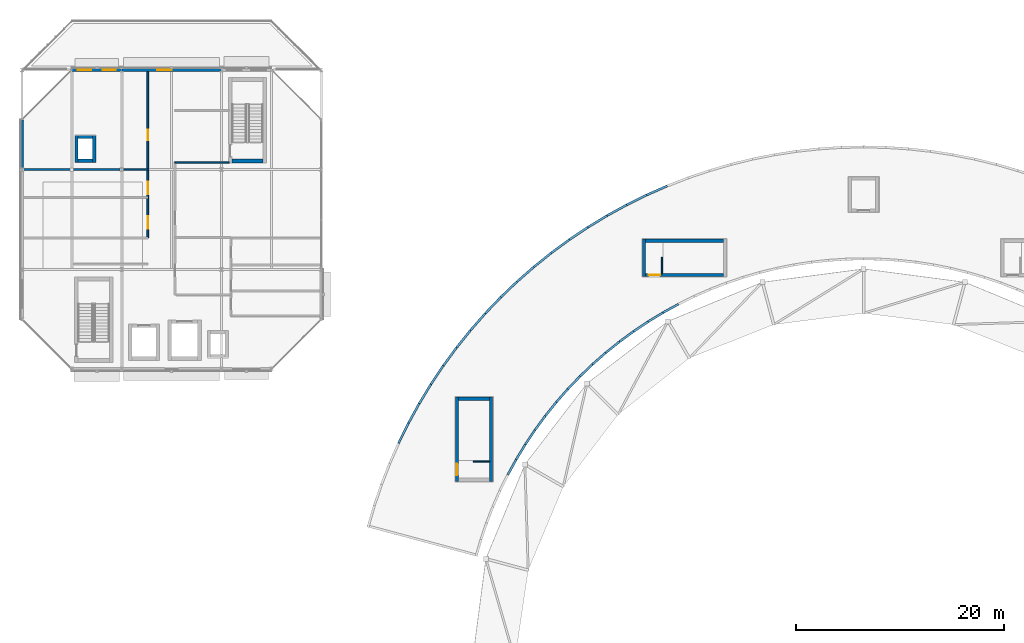
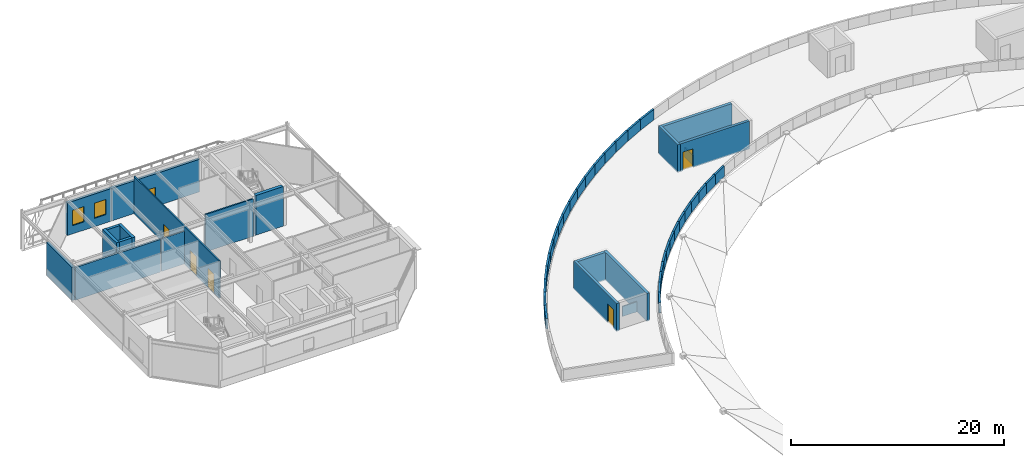
# One storey, part 33 of 50: 51 walls, 6 doors, 2 windows, 8 openings.
"""IFC4 building model written with IfcOpenShell, lengths in metres."""

from ifc_helpers import new_model, si_unit, direction, frame, frame_2d, origin, place, context, subcontext, project, spatial, rectangle, extrude, material, layer, layer_set, type_object, element, fill, save


model = new_model("IFC4")

# Units and contexts
model_context = context("Model", 3, precision=1e-05, world=origin(), true_north=direction((0.0, 1.0)))
body_context = subcontext(model_context, "Body", "Model", "MODEL_VIEW")
ifc_project = project(units=[si_unit("LENGTHUNIT", "METRE"), si_unit("AREAUNIT", "SQUARE_METRE"), si_unit("VOLUMEUNIT", "CUBIC_METRE"), si_unit("PLANEANGLEUNIT", "RADIAN"), si_unit("MASSUNIT", "GRAM", prefix="KILO")], contexts=[model_context])

# Site, building, storey
site_placement = place(None, origin())
site = spatial("IfcSite", under=ifc_project, at=site_placement, CompositionType="ELEMENT")
building_placement = place(site_placement, origin())
building = spatial("IfcBuilding", under=site, at=building_placement, Name="Almandine Court Research Institute", CompositionType="ELEMENT")
storey_placement = place(building_placement, frame((0.0, 0.0, 23.449951171875)))
storey = spatial("IfcBuildingStorey", under=building, at=storey_placement, Name="L05", CompositionType="ELEMENT", Elevation=23.449951171875)

# Wall
ifc_material_1 = material(Name="Insulated Ochre Terracotta Rainscreen Wall", Category="masonry")
ifc_layer_1 = layer(ifc_material_1, 0.2900390625)
ifc_layer_set_1 = layer_set([ifc_layer_1], Name="Insulated Ochre Terracotta Rainscreen Wall")
wall_type_1 = type_object("IfcWallType", Name="Wall-EXT-TERR-290", PredefinedType="SOLIDWALL", material=ifc_layer_set_1)
wall_1_placement = place(storey_placement, frame((6.0, 103.2041015625, 0.0), z_axis=(0.0, 0.0, 1.0), x_axis=(0.0, 1.0, 0.0)))
element("IfcWall", 1, at=wall_1_placement, inside=storey, type_object=wall_type_1, Name="L05 Cleanroom West Wall 3", PredefinedType="SOLIDWALL", context=body_context, shape_type="SweptSolid", body=[
    extrude(rectangle(XDim=4.7919921875, YDim=0.2900390625, at=frame_2d((2.39599609375, 0.0))), origin(), (0.0, 0.0, 1.0), 3.822021484375),
])

# Wall, openings, windows
wall_2_placement = place(storey_placement, frame((10.803955078125, 112.800048828125, 0.0), z_axis=(0.0, 0.0, 1.0), x_axis=(1.0, 0.0, 0.0)))
wall_2 = element("IfcWall", 2, at=wall_2_placement, inside=storey, type_object=wall_type_1, Name="L05 Cleanroom North Wall 1", PredefinedType="SOLIDWALL", context=body_context, shape_type="SweptSolid", body=[
    extrude(rectangle(XDim=4.7919921875, YDim=0.2900390625, at=frame_2d((2.39599609375, 0.0))), origin(), (0.0, 0.0, 1.0), 3.75),
])
opening_1_placement = place(wall_2_placement, frame((0.56298828125, 0.0, 0.949951171875)))
opening_1 = element("IfcOpeningElement", 3, at=opening_1_placement, cuts=wall_2, Name="Opening WN-41", PredefinedType="OPENING", context=body_context, shape_type="SweptSolid", body=[
    extrude(rectangle(XDim=1.27001953125, YDim=1.75, at=frame_2d((0.635009765625, 0.875))), frame((0.0, 0.155029296875, 0.0), z_axis=(0.0, -1.0, 0.0), x_axis=(1.0, 0.0, 0.0)), (0.0, 0.0, 1.0), 0.31005859375),
])
opening_2_placement = place(wall_2_placement, frame((2.958984375, 0.0, 0.949951171875)))
opening_2 = element("IfcOpeningElement", 4, at=opening_2_placement, cuts=wall_2, Name="Opening WN-41", PredefinedType="OPENING", context=body_context, shape_type="SweptSolid", body=[
    extrude(rectangle(XDim=1.27001953125, YDim=1.75, at=frame_2d((0.635009765625, 0.875))), frame((0.0, 0.155029296875, 0.0), z_axis=(0.0, -1.0, 0.0), x_axis=(1.0, 0.0, 0.0)), (0.0, 0.0, 1.0), 0.31005859375),
])
ifc_material_2 = material(Name="Thermally Broken Low-E Double-Glazed Window", Category="glass")
window_type = type_object("IfcWindowType", Name="Win-WN-41-1270x1750", PartitioningType="SINGLE_PANEL", PredefinedType="WINDOW", material=ifc_material_2)
window_1_placement = place(opening_1_placement, origin())
window_1 = element("IfcWindow", 5, at=window_1_placement, inside=storey, type_object=window_type, Name="L05 Modular Recessed Low-E Window 61", OverallHeight=1.75, OverallWidth=1.27001953125, PartitioningType="SINGLE_PANEL", PredefinedType="WINDOW", context=body_context, shape_type="SweptSolid", body=[
    extrude(rectangle(XDim=1.27001953125, YDim=1.75, at=frame_2d((0.635009765625, 0.875))), frame((0.0, 0.030029296875, 0.0), z_axis=(0.0, -1.0, 0.0), x_axis=(1.0, 0.0, 0.0)), (0.0, 0.0, 1.0), 0.06005859375),
])
fill(opening_1, window_1)
window_2_placement = place(opening_2_placement, origin())
window_2 = element("IfcWindow", 6, at=window_2_placement, inside=storey, type_object=window_type, Name="L05 Modular Recessed Low-E Window 62", OverallHeight=1.75, OverallWidth=1.27001953125, PartitioningType="SINGLE_PANEL", PredefinedType="WINDOW", context=body_context, shape_type="SweptSolid", body=[
    extrude(rectangle(XDim=1.27001953125, YDim=1.75, at=frame_2d((0.635009765625, 0.875))), frame((0.0, 0.030029296875, 0.0), z_axis=(0.0, -1.0, 0.0), x_axis=(1.0, 0.0, 0.0)), (0.0, 0.0, 1.0), 0.06005859375),
])
fill(opening_2, window_2)

# Wall, opening, door
wall_3_placement = place(storey_placement, frame((15.60400390625, 112.800048828125, 0.0), z_axis=(0.0, 0.0, 1.0), x_axis=(1.0, 0.0, 0.0)))
wall_3 = element("IfcWall", 7, at=wall_3_placement, inside=storey, type_object=wall_type_1, Name="L05 Cleanroom North Wall 2", PredefinedType="SOLIDWALL", context=body_context, shape_type="SweptSolid", body=[
    extrude(rectangle(XDim=9.592041015625, YDim=0.2900390625, at=frame_2d((4.7958984375, 0.0))), origin(), (0.0, 0.0, 1.0), 3.75),
])
opening_3_placement = place(wall_3_placement, frame((3.39990234375, 0.0, 0.0)))
opening_3 = element("IfcOpeningElement", 8, at=opening_3_placement, cuts=wall_3, Name="Opening TD-01", PredefinedType="OPENING", context=body_context, shape_type="SweptSolid", body=[
    extrude(rectangle(XDim=1.39990234375, YDim=2.199951171875, at=frame_2d((0.699951171875, 1.10009765625))), frame((0.0, 0.155029296875, 0.0), z_axis=(0.0, -1.0, 0.0), x_axis=(1.0, 0.0, 0.0)), (0.0, 0.0, 1.0), 0.31005859375),
])
ifc_material_3 = material(Name="Thermally Broken Glazed Terrace Door")
door_type_1 = type_object("IfcDoorType", Name="Door-TER-1400", OperationType="DOUBLE_DOOR_SINGLE_SWING", PredefinedType="DOOR", material=ifc_material_3)
door_1_placement = place(opening_3_placement, origin())
door_1 = element("IfcDoor", 9, at=door_1_placement, inside=storey, type_object=door_type_1, Name="L05 Cleanroom North Terrace Door", OperationType="DOUBLE_DOOR_SINGLE_SWING", OverallHeight=2.199951171875, OverallWidth=1.39990234375, PredefinedType="DOOR", context=body_context, shape_type="SweptSolid", body=[
    extrude(rectangle(XDim=1.39990234375, YDim=2.199951171875, at=frame_2d((0.699951171875, 1.10009765625))), frame((0.0, 0.02490234375, 0.0), z_axis=(0.0, -1.0, 0.0), x_axis=(1.0, 0.0, 0.0)), (0.0, 0.0, 1.0), 0.050048828125),
])
fill(opening_3, door_1)

# Walls
ifc_material_4 = material(Name="Two-Hour Fire-Barrier Enclosure Wall")
ifc_layer_2 = layer(ifc_material_4, 0.199951171875)
ifc_layer_set_2 = layer_set([ifc_layer_2], Name="Two-Hour Fire-Barrier Enclosure Wall")
wall_type_2 = type_object("IfcWallType", Name="Wall-FIRE-200", PredefinedType="SOLIDWALL", material=ifc_layer_set_2)
wall_4_placement = place(storey_placement, frame((6.159912109375, 103.199951171875, 0.0), z_axis=(0.0, 0.0, 1.0), x_axis=(1.0, 0.0, 0.0)))
element("IfcWall", 10, at=wall_4_placement, inside=storey, type_object=wall_type_2, Name="L05 Interior Partition W-BF-V3-BF1-L05", PredefinedType="SOLIDWALL", context=body_context, shape_type="SweptSolid", body=[
    extrude(rectangle(XDim=9.280029296875, YDim=0.199951171875, at=frame_2d((4.64013671875, 0.0))), origin(), (0.0, 0.0, 1.0), 3.754150390625),
])
ifc_material_5 = material(Name="Precast Concrete C40/50", Category="concrete")
ifc_layer_3 = layer(ifc_material_5, 0.2099609375)
ifc_layer_set_3 = layer_set([ifc_layer_3], Name="Precast Concrete C40/50")
wall_type_3 = type_object("IfcWallType", Name="Wall-PAR-210", PredefinedType="PARAPET", material=ifc_layer_set_3)
wall_5_placement = place(storey_placement, frame((68.10107421875, 101.631103515625, 0.0), z_axis=(0.0, 0.0, 1.0), x_axis=(-0.915278363607, -0.402821942195, 0.0)))
element("IfcWall", 11, at=wall_5_placement, inside=storey, type_object=wall_type_3, Name="L05 Roof Perimeter Parapet 058", PredefinedType="PARAPET", context=body_context, shape_type="SweptSolid", body=[
    extrude(rectangle(XDim=2.16015625, YDim=0.2099609375, at=frame_2d((1.080078125, 0.0))), origin(), (0.0, 0.0, 1.0), 1.199951171875),
])
wall_6_placement = place(storey_placement, frame((66.12890625, 100.762939453125, 0.0), z_axis=(0.0, 0.0, 1.0), x_axis=(-0.896945189891, -0.442141749138, 0.0)))
element("IfcWall", 12, at=wall_6_placement, inside=storey, type_object=wall_type_3, Name="L05 Roof Perimeter Parapet 059", PredefinedType="PARAPET", context=body_context, shape_type="SweptSolid", body=[
    extrude(rectangle(XDim=2.15966796875, YDim=0.2099609375, at=frame_2d((1.079833984375, 0.0))), origin(), (0.0, 0.0, 1.0), 1.199951171875),
])
wall_7_placement = place(storey_placement, frame((64.196044921875, 99.81103515625, 0.0), z_axis=(0.0, 0.0, 1.0), x_axis=(-0.876630915083, -0.481163422052, 0.0)))
element("IfcWall", 13, at=wall_7_placement, inside=storey, type_object=wall_type_3, Name="L05 Roof Perimeter Parapet 060", PredefinedType="PARAPET", context=body_context, shape_type="SweptSolid", body=[
    extrude(rectangle(XDim=2.159423828125, YDim=0.2099609375, at=frame_2d((1.07958984375, 0.0))), origin(), (0.0, 0.0, 1.0), 1.199951171875),
])
wall_8_placement = place(storey_placement, frame((62.306884765625, 98.77392578125, 0.0), z_axis=(0.0, 0.0, 1.0), x_axis=(-0.854968406108, -0.518680079198, 0.0)))
element("IfcWall", 14, at=wall_8_placement, inside=storey, type_object=wall_type_3, Name="L05 Roof Perimeter Parapet 061", PredefinedType="PARAPET", context=body_context, shape_type="SweptSolid", body=[
    extrude(rectangle(XDim=2.1591796875, YDim=0.2099609375, at=frame_2d((1.07958984375, 0.0))), origin(), (0.0, 0.0, 1.0), 1.199951171875),
])
for number, where, z_axis, x_axis, name in (
    (15, (60.465087890625, 97.656982421875, 0.0), (0.0, 0.0, 1.0), (-0.831510868286, -0.555508484114, 0.0), "L05 Roof Perimeter Parapet 062"),
    (16, (58.673095703125, 96.458984375, 0.0), (0.0, 0.0, 1.0), (-0.806516369094, -0.591211761033, 0.0), "L05 Roof Perimeter Parapet 063"),
):
    element("IfcWall", number, at=place(storey_placement, frame(where, z_axis=z_axis, x_axis=x_axis)), inside=storey, type_object=wall_type_3, Name=name, PredefinedType="PARAPET", context=body_context, shape_type="SweptSolid", body=[
        extrude(rectangle(XDim=2.16015625, YDim=0.2099609375, at=frame_2d((1.080078125, 0.0))), origin(), (0.0, 0.0, 1.0), 1.199951171875),
    ])
for number, where, z_axis, x_axis, name in (
    (17, (56.93505859375, 95.18505859375, 0.0), (0.0, 0.0, 1.0), (-0.779786816868, -0.626045142333, 0.0), "L05 Roof Perimeter Parapet 064"),
    (18, (55.2548828125, 93.8359375, 0.0), (0.0, 0.0, 1.0), (-0.751882982559, -0.659296580105, 0.0), "L05 Roof Perimeter Parapet 065"),
):
    element("IfcWall", number, at=place(storey_placement, frame(where, z_axis=z_axis, x_axis=x_axis)), inside=storey, type_object=wall_type_3, Name=name, PredefinedType="PARAPET", context=body_context, shape_type="SweptSolid", body=[
        extrude(rectangle(XDim=2.15966796875, YDim=0.2099609375, at=frame_2d((1.079833984375, 0.0))), origin(), (0.0, 0.0, 1.0), 1.199951171875),
    ])
for number, where, z_axis, x_axis, name in (
    (19, (53.634033203125, 92.416015625, 0.0), (0.0, 0.0, 1.0), (-0.722482230527, -0.691389489776, 0.0), "L05 Roof Perimeter Parapet 066"),
    (20, (52.076904296875, 90.926025390625, 0.0), (0.0, 0.0, 1.0), (-0.691389489776, -0.722482230527, 0.0), "L05 Roof Perimeter Parapet 067"),
):
    element("IfcWall", number, at=place(storey_placement, frame(where, z_axis=z_axis, x_axis=x_axis)), inside=storey, type_object=wall_type_3, Name=name, PredefinedType="PARAPET", context=body_context, shape_type="SweptSolid", body=[
        extrude(rectangle(XDim=2.159423828125, YDim=0.2099609375, at=frame_2d((1.07958984375, 0.0))), origin(), (0.0, 0.0, 1.0), 1.199951171875),
    ])
for number, where, z_axis, x_axis, name in (
    (21, (50.587890625, 89.368896484375, 0.0), (0.0, 0.0, 1.0), (-0.659296580105, -0.751882982559, 0.0), "L05 Roof Perimeter Parapet 068"),
    (22, (49.1669921875, 87.7490234375, 0.0), (0.0, 0.0, 1.0), (-0.626045142333, -0.779786816868, 0.0), "L05 Roof Perimeter Parapet 069"),
):
    element("IfcWall", number, at=place(storey_placement, frame(where, z_axis=z_axis, x_axis=x_axis)), inside=storey, type_object=wall_type_3, Name=name, PredefinedType="PARAPET", context=body_context, shape_type="SweptSolid", body=[
        extrude(rectangle(XDim=2.15966796875, YDim=0.2099609375, at=frame_2d((1.079833984375, 0.0))), origin(), (0.0, 0.0, 1.0), 1.199951171875),
    ])
for number, where, z_axis, x_axis, name in (
    (23, (47.818115234375, 86.069091796875, 0.0), (0.0, 0.0, 1.0), (-0.591211761033, -0.806516369094, 0.0), "L05 Roof Perimeter Parapet 070"),
    (24, (46.54296875, 84.3310546875, 0.0), (0.0, 0.0, 1.0), (-0.555508484114, -0.831510868286, 0.0), "L05 Roof Perimeter Parapet 071"),
):
    element("IfcWall", number, at=place(storey_placement, frame(where, z_axis=z_axis, x_axis=x_axis)), inside=storey, type_object=wall_type_3, Name=name, PredefinedType="PARAPET", context=body_context, shape_type="SweptSolid", body=[
        extrude(rectangle(XDim=2.16015625, YDim=0.2099609375, at=frame_2d((1.080078125, 0.0))), origin(), (0.0, 0.0, 1.0), 1.199951171875),
    ])
wall_9_placement = place(storey_placement, frame((45.345947265625, 82.5390625, 0.0), z_axis=(0.0, 0.0, 1.0), x_axis=(-0.518680079198, -0.854968406108, 0.0)))
element("IfcWall", 25, at=wall_9_placement, inside=storey, type_object=wall_type_3, Name="L05 Roof Perimeter Parapet 072", PredefinedType="PARAPET", context=body_context, shape_type="SweptSolid", body=[
    extrude(rectangle(XDim=2.1591796875, YDim=0.2099609375, at=frame_2d((1.07958984375, 0.0))), origin(), (0.0, 0.0, 1.0), 1.199951171875),
])
wall_10_placement = place(storey_placement, frame((44.22802734375, 80.697021484375, 0.0), z_axis=(0.0, 0.0, 1.0), x_axis=(-0.481163422052, -0.876630915083, 0.0)))
element("IfcWall", 26, at=wall_10_placement, inside=storey, type_object=wall_type_3, Name="L05 Roof Perimeter Parapet 073", PredefinedType="PARAPET", context=body_context, shape_type="SweptSolid", body=[
    extrude(rectangle(XDim=2.159423828125, YDim=0.2099609375, at=frame_2d((1.07958984375, 0.0))), origin(), (0.0, 0.0, 1.0), 1.199951171875),
])
wall_11_placement = place(storey_placement, frame((43.19189453125, 78.80810546875, 0.0), z_axis=(0.0, 0.0, 1.0), x_axis=(-0.442141749138, -0.896945189891, 0.0)))
element("IfcWall", 27, at=wall_11_placement, inside=storey, type_object=wall_type_3, Name="L05 Roof Perimeter Parapet 074", PredefinedType="PARAPET", context=body_context, shape_type="SweptSolid", body=[
    extrude(rectangle(XDim=2.15966796875, YDim=0.2099609375, at=frame_2d((1.079833984375, 0.0))), origin(), (0.0, 0.0, 1.0), 1.199951171875),
])
wall_12_placement = place(storey_placement, frame((52.75390625, 73.830078125, 0.0), z_axis=(0.0, 0.0, 1.0), x_axis=(0.481009194317, 0.876715549641, 0.0)))
element("IfcWall", 28, at=wall_12_placement, inside=storey, type_object=wall_type_3, Name="L05 Roof Perimeter Parapet 085", PredefinedType="PARAPET", context=body_context, shape_type="SweptSolid", body=[
    extrude(rectangle(XDim=1.679931640625, YDim=0.2099609375, at=frame_2d((0.83984375, 0.0))), origin(), (0.0, 0.0, 1.0), 1.199951171875),
])
wall_13_placement = place(storey_placement, frame((53.56396484375, 75.306884765625, 0.0), z_axis=(0.0, 0.0, 1.0), x_axis=(0.518636711946, 0.854994714032, 0.0)))
element("IfcWall", 29, at=wall_13_placement, inside=storey, type_object=wall_type_3, Name="L05 Roof Perimeter Parapet 086", PredefinedType="PARAPET", context=body_context, shape_type="SweptSolid", body=[
    extrude(rectangle(XDim=1.6796875, YDim=0.2099609375, at=frame_2d((0.83984375, 0.0))), origin(), (0.0, 0.0, 1.0), 1.199951171875),
])
wall_14_placement = place(storey_placement, frame((54.43798828125, 76.7470703125, 0.0), z_axis=(0.0, 0.0, 1.0), x_axis=(0.555839561394, 0.831289589727, 0.0)))
element("IfcWall", 30, at=wall_14_placement, inside=storey, type_object=wall_type_3, Name="L05 Roof Perimeter Parapet 087", PredefinedType="PARAPET", context=body_context, shape_type="SweptSolid", body=[
    extrude(rectangle(XDim=1.680419921875, YDim=0.2099609375, at=frame_2d((0.84033203125, 0.0))), origin(), (0.0, 0.0, 1.0), 1.199951171875),
])
wall_15_placement = place(storey_placement, frame((55.3740234375, 78.14794921875, 0.0), z_axis=(0.0, 0.0, 1.0), x_axis=(0.591357359975, 0.806409618496, 0.0)))
element("IfcWall", 31, at=wall_15_placement, inside=storey, type_object=wall_type_3, Name="L05 Roof Perimeter Parapet 088", PredefinedType="PARAPET", context=body_context, shape_type="SweptSolid", body=[
    extrude(rectangle(XDim=1.678955078125, YDim=0.2099609375, at=frame_2d((0.83935546875, 0.0))), origin(), (0.0, 0.0, 1.0), 1.199951171875),
])
wall_16_placement = place(storey_placement, frame((56.3701171875, 79.506103515625, 0.0), z_axis=(0.0, 0.0, 1.0), x_axis=(0.625758296645, 0.780017021724, 0.0)))
element("IfcWall", 32, at=wall_16_placement, inside=storey, type_object=wall_type_3, Name="L05 Roof Perimeter Parapet 089", PredefinedType="PARAPET", context=body_context, shape_type="SweptSolid", body=[
    extrude(rectangle(XDim=1.67919921875, YDim=0.2099609375, at=frame_2d((0.839599609375, 0.0))), origin(), (0.0, 0.0, 1.0), 1.199951171875),
])
for number, where, z_axis, x_axis, name in (
    (33, (57.424072265625, 80.820068359375, 0.0), (0.0, 0.0, 1.0), (0.659460870978, 0.751738890606, 0.0), "L05 Roof Perimeter Parapet 090"),
    (34, (58.535888671875, 82.0859375, 0.0), (0.0, 0.0, 1.0), (0.691163251395, 0.722698664674, 0.0), "L05 Roof Perimeter Parapet 091"),
    (35, (59.699951171875, 83.302978515625, 0.0), (0.0, 0.0, 1.0), (0.722698664674, 0.691163251395, 0.0), "L05 Roof Perimeter Parapet 092"),
    (36, (60.9169921875, 84.468017578125, 0.0), (0.0, 0.0, 1.0), (0.751738890606, 0.659460870978, 0.0), "L05 Roof Perimeter Parapet 093"),
):
    element("IfcWall", number, at=place(storey_placement, frame(where, z_axis=z_axis, x_axis=x_axis)), inside=storey, type_object=wall_type_3, Name=name, PredefinedType="PARAPET", context=body_context, shape_type="SweptSolid", body=[
        extrude(rectangle(XDim=1.679931640625, YDim=0.2099609375, at=frame_2d((0.83984375, 0.0))), origin(), (0.0, 0.0, 1.0), 1.199951171875),
    ])
wall_17_placement = place(storey_placement, frame((62.18408203125, 85.5791015625, 0.0), z_axis=(0.0, 0.0, 1.0), x_axis=(0.780017021724, 0.625758296645, 0.0)))
element("IfcWall", 37, at=wall_17_placement, inside=storey, type_object=wall_type_3, Name="L05 Roof Perimeter Parapet 094", PredefinedType="PARAPET", context=body_context, shape_type="SweptSolid", body=[
    extrude(rectangle(XDim=1.67919921875, YDim=0.2099609375, at=frame_2d((0.839599609375, 0.0))), origin(), (0.0, 0.0, 1.0), 1.199951171875),
])
wall_18_placement = place(storey_placement, frame((63.498046875, 86.633056640625, 0.0), z_axis=(0.0, 0.0, 1.0), x_axis=(0.806409618496, 0.591357359975, 0.0)))
element("IfcWall", 38, at=wall_18_placement, inside=storey, type_object=wall_type_3, Name="L05 Roof Perimeter Parapet 095", PredefinedType="PARAPET", context=body_context, shape_type="SweptSolid", body=[
    extrude(rectangle(XDim=1.678955078125, YDim=0.2099609375, at=frame_2d((0.83935546875, 0.0))), origin(), (0.0, 0.0, 1.0), 1.199951171875),
])
wall_19_placement = place(storey_placement, frame((64.85595703125, 87.6279296875, 0.0), z_axis=(0.0, 0.0, 1.0), x_axis=(0.831289589727, 0.555839561394, 0.0)))
element("IfcWall", 39, at=wall_19_placement, inside=storey, type_object=wall_type_3, Name="L05 Roof Perimeter Parapet 096", PredefinedType="PARAPET", context=body_context, shape_type="SweptSolid", body=[
    extrude(rectangle(XDim=1.680419921875, YDim=0.2099609375, at=frame_2d((0.84033203125, 0.0))), origin(), (0.0, 0.0, 1.0), 1.199951171875),
])
wall_20_placement = place(storey_placement, frame((66.257080078125, 88.56494140625, 0.0), z_axis=(0.0, 0.0, 1.0), x_axis=(0.854994714032, 0.518636711946, 0.0)))
element("IfcWall", 40, at=wall_20_placement, inside=storey, type_object=wall_type_3, Name="L05 Roof Perimeter Parapet 097", PredefinedType="PARAPET", context=body_context, shape_type="SweptSolid", body=[
    extrude(rectangle(XDim=1.6796875, YDim=0.2099609375, at=frame_2d((0.83984375, 0.0))), origin(), (0.0, 0.0, 1.0), 1.199951171875),
])
wall_21_placement = place(storey_placement, frame((67.697021484375, 89.43798828125, 0.0), z_axis=(0.0, 0.0, 1.0), x_axis=(0.876715549641, 0.481009194317, 0.0)))
element("IfcWall", 41, at=wall_21_placement, inside=storey, type_object=wall_type_3, Name="L05 Roof Perimeter Parapet 098", PredefinedType="PARAPET", context=body_context, shape_type="SweptSolid", body=[
    extrude(rectangle(XDim=1.679931640625, YDim=0.2099609375, at=frame_2d((0.83984375, 0.0))), origin(), (0.0, 0.0, 1.0), 1.199951171875),
])
ifc_material_6 = material(Name="Lightweight Drywall Office Partition")
ifc_layer_4 = layer(ifc_material_6, 0.125)
ifc_layer_set_4 = layer_set([ifc_layer_4], Name="Lightweight Drywall Office Partition")
wall_type_4 = type_object("IfcWallType", Name="Wall-PART-125", PredefinedType="PARTITIONING", material=ifc_layer_set_4)
for number, where, z_axis, x_axis, name in (
    (42, (67.60009765625, 93.199951171875, 0.0), (0.0, 0.0, 1.0), (0.0, 1.0, 0.0), "L05 ST-10 Penthouse Well Curb Wall 1"),
    (43, (51.0, 75.10009765625, 0.0), (0.0, 0.0, 1.0), (-1.0, 0.0, 0.0), "L05 ST-15 Penthouse Well Curb Wall 1"),
):
    element("IfcWall", number, at=place(storey_placement, frame(where, z_axis=z_axis, x_axis=x_axis)), inside=storey, type_object=wall_type_4, Name=name, PredefinedType="PARTITIONING", context=body_context, shape_type="SweptSolid", body=[
        extrude(rectangle(XDim=1.580078125, YDim=0.125, at=frame_2d((0.7900390625, 0.0))), origin(), (0.0, 0.0, 1.0), 1.150146484375),
    ])

# Wall, openings, doors
ifc_material_7 = material(Name="Acoustic Steel-Stud Gypsum Partition Wall", Category="steel")
ifc_layer_5 = layer(ifc_material_7, 0.14990234375)
ifc_layer_set_5 = layer_set([ifc_layer_5], Name="Acoustic Steel-Stud Gypsum Partition Wall")
wall_type_5 = type_object("IfcWallType", Name="Wall-PART-150", PredefinedType="PARTITIONING", material=ifc_layer_set_5)
wall_22_placement = place(storey_placement, frame((18.10009765625, 96.6201171875, 0.0), z_axis=(0.0, 0.0, 1.0), x_axis=(0.0, 1.0, 0.0)))
wall_22 = element("IfcWall", 44, at=wall_22_placement, inside=storey, type_object=wall_type_5, Name="L05 Interior Partition W-V3-L05-CW", PredefinedType="PARTITIONING", context=body_context, shape_type="SweptSolid", body=[
    extrude(rectangle(XDim=16.019775390625, YDim=0.14990234375, at=frame_2d((8.009765625, 0.0))), origin(), (0.0, 0.0, 1.0), 4.300048828125),
])
opening_4_placement = place(wall_22_placement, frame((0.89990234375, 0.0, 0.0)))
opening_4 = element("IfcOpeningElement", 45, at=opening_4_placement, cuts=wall_22, Name="Opening D-04", PredefinedType="OPENING", context=body_context, shape_type="SweptSolid", body=[
    extrude(rectangle(XDim=1.199951171875, YDim=2.199951171875, at=frame_2d((0.60009765625, 1.10009765625))), frame((0.0, 0.0849609375, 0.0), z_axis=(0.0, -1.0, 0.0), x_axis=(1.0, 0.0, 0.0)), (0.0, 0.0, 1.0), 0.169921875),
])
opening_5_placement = place(wall_22_placement, frame((4.199951171875, 0.0, 0.0)))
opening_5 = element("IfcOpeningElement", 46, at=opening_5_placement, cuts=wall_22, Name="Opening D-04", PredefinedType="OPENING", context=body_context, shape_type="SweptSolid", body=[
    extrude(rectangle(XDim=1.199951171875, YDim=2.199951171875, at=frame_2d((0.60009765625, 1.10009765625))), frame((0.0, 0.0849609375, 0.0), z_axis=(0.0, -1.0, 0.0), x_axis=(1.0, 0.0, 0.0)), (0.0, 0.0, 1.0), 0.169921875),
])
opening_6_placement = place(wall_22_placement, frame((9.39990234375, 0.0, 0.0)))
opening_6 = element("IfcOpeningElement", 47, at=opening_6_placement, cuts=wall_22, Name="Opening D-02", PredefinedType="OPENING", context=body_context, shape_type="SweptSolid", body=[
    extrude(rectangle(XDim=1.0, YDim=2.199951171875, at=frame_2d((0.5, 1.10009765625))), frame((0.0, 0.0849609375, 0.0), z_axis=(0.0, -1.0, 0.0), x_axis=(1.0, 0.0, 0.0)), (0.0, 0.0, 1.0), 0.169921875),
])
ifc_material_8 = material(Name="Solid-Core Timber Researcher Office Door", Category="wood")
door_type_2 = type_object("IfcDoorType", Name="Door-INT-1000", OperationType="NOTDEFINED", PredefinedType="DOOR", material=ifc_material_8)
door_2_placement = place(opening_6_placement, origin())
door_2 = element("IfcDoor", 48, at=door_2_placement, inside=storey, type_object=door_type_2, Name="L05 V3 Write-up Door", OperationType="SINGLE_SWING_RIGHT", OverallHeight=2.199951171875, OverallWidth=1.0, PredefinedType="DOOR", context=body_context, shape_type="SweptSolid", body=[
    extrude(rectangle(XDim=1.0, YDim=2.199951171875, at=frame_2d((0.5, 1.10009765625))), frame((0.0, 0.02490234375, 0.0), z_axis=(0.0, -1.0, 0.0), x_axis=(1.0, 0.0, 0.0)), (0.0, 0.0, 1.0), 0.050048828125),
])
fill(opening_6, door_2)
ifc_material_9 = material(Name="Wide Acoustic Laboratory Suite Door")
door_type_3 = type_object("IfcDoorType", Name="Door-INT-1200", OperationType="NOTDEFINED", PredefinedType="DOOR", material=ifc_material_9)
door_3_placement = place(opening_4_placement, origin())
door_3 = element("IfcDoor", 49, at=door_3_placement, inside=storey, type_object=door_type_3, Name="L05 Photonics Lab Door", OperationType="SINGLE_SWING_RIGHT", OverallHeight=2.199951171875, OverallWidth=1.199951171875, PredefinedType="DOOR", context=body_context, shape_type="SweptSolid", body=[
    extrude(rectangle(XDim=1.199951171875, YDim=2.199951171875, at=frame_2d((0.60009765625, 1.10009765625))), frame((0.0, 0.02490234375, 0.0), z_axis=(0.0, -1.0, 0.0), x_axis=(1.0, 0.0, 0.0)), (0.0, 0.0, 1.0), 0.050048828125),
])
fill(opening_4, door_3)
door_4_placement = place(opening_5_placement, origin())
door_4 = element("IfcDoor", 50, at=door_4_placement, inside=storey, type_object=door_type_3, Name="L05 Metrology Lab Door", OperationType="SINGLE_SWING_LEFT", OverallHeight=2.199951171875, OverallWidth=1.199951171875, PredefinedType="DOOR", context=body_context, shape_type="SweptSolid", body=[
    extrude(rectangle(XDim=1.199951171875, YDim=2.199951171875, at=frame_2d((0.60009765625, 1.10009765625))), frame((0.0, 0.02490234375, 0.0), z_axis=(0.0, -1.0, 0.0), x_axis=(1.0, 0.0, 0.0)), (0.0, 0.0, 1.0), 0.050048828125),
])
fill(opening_5, door_4)

# Walls
wall_23_placement = place(storey_placement, frame((20.719970703125, 103.89990234375, 0.0), z_axis=(0.0, 0.0, 1.0), x_axis=(1.0, 0.0, 0.0)))
element("IfcWall", 51, at=wall_23_placement, inside=storey, type_object=wall_type_5, Name="L05 Interior Partition W-V3-L05-CEN", PredefinedType="PARTITIONING", context=body_context, shape_type="SweptSolid", body=[
    extrude(rectangle(XDim=5.199951171875, YDim=0.14990234375, at=frame_2d((2.60009765625, 0.0))), origin(), (0.0, 0.0, 1.0), 4.300048828125),
])
wall_24_placement = place(storey_placement, frame((15.550048828125, 103.199951171875, 0.0), z_axis=(0.0, 0.0, 1.0), x_axis=(1.0, 0.0, 0.0)))
element("IfcWall", 52, at=wall_24_placement, inside=storey, type_object=wall_type_5, Name="L05 Interior Partition W-V3-L05-SB", PredefinedType="PARTITIONING", context=body_context, shape_type="SweptSolid", body=[
    extrude(rectangle(XDim=2.550048828125, YDim=0.14990234375, at=frame_2d((1.27490234375, 0.0))), origin(), (0.0, 0.0, 1.0), 3.754150390625),
])
ifc_material_10 = material(Name="Concrete C40/50", Category="concrete")
ifc_layer_6 = layer(ifc_material_10, 0.300048828125)
ifc_layer_set_6 = layer_set([ifc_layer_6], Name="Concrete C40/50")
wall_type_6 = type_object("IfcWallType", Name="Wall-SW-CORE-300", PredefinedType="SHEAR", material=ifc_layer_set_6)
wall_25_placement = place(storey_placement, frame((11.25, 103.89990234375, 0.0), z_axis=(0.0, 0.0, 1.0), x_axis=(0.0, 1.0, 0.0)))
element("IfcWall", 53, at=wall_25_placement, inside=storey, type_object=wall_type_6, Name="L05 MEP Riser RS-V3B W Shear Wall", PredefinedType="SHEAR", context=body_context, shape_type="SweptSolid", body=[
    extrude(rectangle(XDim=2.60009765625, YDim=0.300048828125, at=frame_2d((1.300048828125, 0.0))), origin(), (0.0, 0.0, 1.0), 4.3701171875),
])
wall_26_placement = place(storey_placement, frame((11.39990234375, 106.35009765625, 0.0), z_axis=(0.0, 0.0, 1.0), x_axis=(1.0, 0.0, 0.0)))
element("IfcWall", 54, at=wall_26_placement, inside=storey, type_object=wall_type_6, Name="L05 MEP Riser RS-V3B N Shear Wall", PredefinedType="SHEAR", context=body_context, shape_type="SweptSolid", body=[
    extrude(rectangle(XDim=1.400146484375, YDim=0.300048828125, at=frame_2d((0.7001953125, 0.0))), origin(), (0.0, 0.0, 1.0), 4.3701171875),
])
wall_27_placement = place(storey_placement, frame((12.949951171875, 106.5, 0.0), z_axis=(0.0, 0.0, 1.0), x_axis=(0.0, -1.0, 0.0)))
element("IfcWall", 55, at=wall_27_placement, inside=storey, type_object=wall_type_6, Name="L05 MEP Riser RS-V3B E Shear Wall", PredefinedType="SHEAR", context=body_context, shape_type="SweptSolid", body=[
    extrude(rectangle(XDim=2.60009765625, YDim=0.300048828125, at=frame_2d((1.300048828125, 0.0))), origin(), (0.0, 0.0, 1.0), 4.3701171875),
])
wall_28_placement = place(storey_placement, frame((12.800048828125, 104.050048828125, 0.0), z_axis=(0.0, 0.0, 1.0), x_axis=(-1.0, 0.0, 0.0)))
element("IfcWall", 56, at=wall_28_placement, inside=storey, type_object=wall_type_6, Name="L05 MEP Riser RS-V3B S Shear Wall", PredefinedType="SHEAR", context=body_context, shape_type="SweptSolid", body=[
    extrude(rectangle(XDim=1.400146484375, YDim=0.300048828125, at=frame_2d((0.7001953125, 0.0))), origin(), (0.0, 0.0, 1.0), 4.3701171875),
])
ifc_layer_7 = layer(ifc_material_10, 0.300048828125)
ifc_layer_set_7 = layer_set([ifc_layer_7], Name="Concrete C40/50")
wall_type_7 = type_object("IfcWallType", Name="Wall-SW-CORE-300-E", PredefinedType="SHEAR", material=ifc_layer_set_7)
wall_29_placement = place(storey_placement, frame((65.85009765625, 92.89990234375, 0.0), z_axis=(0.0, 0.0, 1.0), x_axis=(0.0, 1.0, 0.0)))
element("IfcWall", 57, at=wall_29_placement, inside=storey, type_object=wall_type_7, Name="L05 ST-10 Penthouse W Shear Wall", PredefinedType="SHEAR", context=body_context, shape_type="SweptSolid", body=[
    extrude(rectangle(XDim=3.60009765625, YDim=0.300048828125, at=frame_2d((1.800048828125, 0.0))), origin(), (0.0, 0.0, 1.0), 3.199951171875),
])
wall_30_placement = place(storey_placement, frame((66.0, 96.35009765625, 0.0), z_axis=(0.0, 0.0, 1.0), x_axis=(1.0, 0.0, 0.0)))
element("IfcWall", 58, at=wall_30_placement, inside=storey, type_object=wall_type_7, Name="L05 ST-10 Penthouse N Shear Wall", PredefinedType="SHEAR", context=body_context, shape_type="SweptSolid", body=[
    extrude(rectangle(XDim=7.5, YDim=0.300048828125, at=frame_2d((3.75, 0.0))), origin(), (0.0, 0.0, 1.0), 3.199951171875),
])

# Wall, opening, door
wall_31_placement = place(storey_placement, frame((73.5, 93.050048828125, 0.0), z_axis=(0.0, 0.0, 1.0), x_axis=(-1.0, 0.0, 0.0)))
wall_31 = element("IfcWall", 59, at=wall_31_placement, inside=storey, type_object=wall_type_7, Name="L05 ST-10 Penthouse S Shear Wall", PredefinedType="SHEAR", context=body_context, shape_type="SweptSolid", body=[
    extrude(rectangle(XDim=7.5, YDim=0.300048828125, at=frame_2d((3.75, 0.0))), origin(), (0.0, 0.0, 1.0), 3.199951171875),
])
opening_7_placement = place(wall_31_placement, frame((6.10009765625, 0.0, 0.0)))
opening_7 = element("IfcOpeningElement", 60, at=opening_7_placement, cuts=wall_31, Name="Opening EX-04", PredefinedType="OPENING", context=body_context, shape_type="SweptSolid", body=[
    extrude(rectangle(XDim=1.10009765625, YDim=2.14990234375, at=frame_2d((0.550048828125, 1.074951171875))), frame((0.0, 0.159912109375, 0.0), z_axis=(0.0, -1.0, 0.0), x_axis=(1.0, 0.0, 0.0)), (0.0, 0.0, 1.0), 0.320068359375),
])
ifc_material_11 = material(Name="Painted Steel Exterior Personnel Exit Door", Category="steel")
door_type_4 = type_object("IfcDoorType", Name="Door-EX-1100", OperationType="NOTDEFINED", PredefinedType="DOOR", material=ifc_material_11)
door_5_placement = place(opening_7_placement, origin())
door_5 = element("IfcDoor", 61, at=door_5_placement, inside=storey, type_object=door_type_4, Name="L05 Exit Stair ST-10 Fire Door", OperationType="SINGLE_SWING_LEFT", OverallHeight=2.14990234375, OverallWidth=1.10009765625, PredefinedType="DOOR", context=body_context, shape_type="SweptSolid", body=[
    extrude(rectangle(XDim=1.10009765625, YDim=2.14990234375, at=frame_2d((0.550048828125, 1.074951171875))), frame((0.0, 0.02490234375, 0.0), z_axis=(0.0, -1.0, 0.0), x_axis=(1.0, 0.0, 0.0)), (0.0, 0.0, 1.0), 0.050048828125),
])
fill(opening_7, door_5)

wall_32_placement = place(storey_placement, frame((47.85009765625, 73.199951171875, 0.0), z_axis=(0.0, 0.0, 1.0), x_axis=(0.0, 1.0, 0.0)))
wall_32 = element("IfcWall", 62, at=wall_32_placement, inside=storey, type_object=wall_type_7, Name="L05 ST-15 Penthouse W Shear Wall", PredefinedType="SHEAR", context=body_context, shape_type="SweptSolid", body=[
    extrude(rectangle(XDim=8.10009765625, YDim=0.300048828125, at=frame_2d((4.050048828125, 0.0))), origin(), (0.0, 0.0, 1.0), 3.199951171875),
])
opening_8_placement = place(wall_32_placement, frame((0.60009765625, 0.0, 0.0)))
opening_8 = element("IfcOpeningElement", 63, at=opening_8_placement, cuts=wall_32, Name="Opening EX-04", PredefinedType="OPENING", context=body_context, shape_type="SweptSolid", body=[
    extrude(rectangle(XDim=1.10009765625, YDim=2.14990234375, at=frame_2d((0.550048828125, 1.074951171875))), frame((0.0, 0.159912109375, 0.0), z_axis=(0.0, -1.0, 0.0), x_axis=(1.0, 0.0, 0.0)), (0.0, 0.0, 1.0), 0.320068359375),
])
door_6_placement = place(opening_8_placement, origin())
door_6 = element("IfcDoor", 64, at=door_6_placement, inside=storey, type_object=door_type_4, Name="L05 Exit Stair ST-15 Fire Door", OperationType="SINGLE_SWING_LEFT", OverallHeight=2.14990234375, OverallWidth=1.10009765625, PredefinedType="DOOR", context=body_context, shape_type="SweptSolid", body=[
    extrude(rectangle(XDim=1.10009765625, YDim=2.14990234375, at=frame_2d((0.550048828125, 1.074951171875))), frame((0.0, 0.02490234375, 0.0), z_axis=(0.0, -1.0, 0.0), x_axis=(1.0, 0.0, 0.0)), (0.0, 0.0, 1.0), 0.050048828125),
])
fill(opening_8, door_6)

# Walls
wall_33_placement = place(storey_placement, frame((48.0, 81.14990234375, 0.0), z_axis=(0.0, 0.0, 1.0), x_axis=(1.0, 0.0, 0.0)))
element("IfcWall", 65, at=wall_33_placement, inside=storey, type_object=wall_type_7, Name="L05 ST-15 Penthouse N Shear Wall", PredefinedType="SHEAR", context=body_context, shape_type="SweptSolid", body=[
    extrude(rectangle(XDim=3.0, YDim=0.300048828125, at=frame_2d((1.5, 0.0))), origin(), (0.0, 0.0, 1.0), 3.199951171875),
])
wall_34_placement = place(storey_placement, frame((51.14990234375, 81.300048828125, 0.0), z_axis=(0.0, 0.0, 1.0), x_axis=(0.0, -1.0, 0.0)))
element("IfcWall", 66, at=wall_34_placement, inside=storey, type_object=wall_type_7, Name="L05 ST-15 Penthouse E Shear Wall", PredefinedType="SHEAR", context=body_context, shape_type="SweptSolid", body=[
    extrude(rectangle(XDim=8.10009765625, YDim=0.300048828125, at=frame_2d((4.050048828125, 0.0))), origin(), (0.0, 0.0, 1.0), 3.199951171875),
])
ifc_layer_8 = layer(ifc_material_10, 0.35009765625)
ifc_layer_set_8 = layer_set([ifc_layer_8], Name="Concrete C40/50")
wall_type_8 = type_object("IfcWallType", Name="Wall-SW-CORE-350", PredefinedType="SHEAR", material=ifc_layer_set_8)
wall_35_placement = place(storey_placement, frame((29.199951171875, 104.02490234375, 0.0), z_axis=(0.0, 0.0, 1.0), x_axis=(-1.0, 0.0, 0.0)))
element("IfcWall", 67, at=wall_35_placement, inside=storey, type_object=wall_type_8, Name="L05 ST-06 S Shear Wall", PredefinedType="SHEAR", context=body_context, shape_type="SweptSolid", body=[
    extrude(rectangle(XDim=3.0, YDim=0.35009765625, at=frame_2d((1.5, 0.0))), origin(), (0.0, 0.0, 1.0), 4.550048828125),
])

save(model, "model.ifc")
